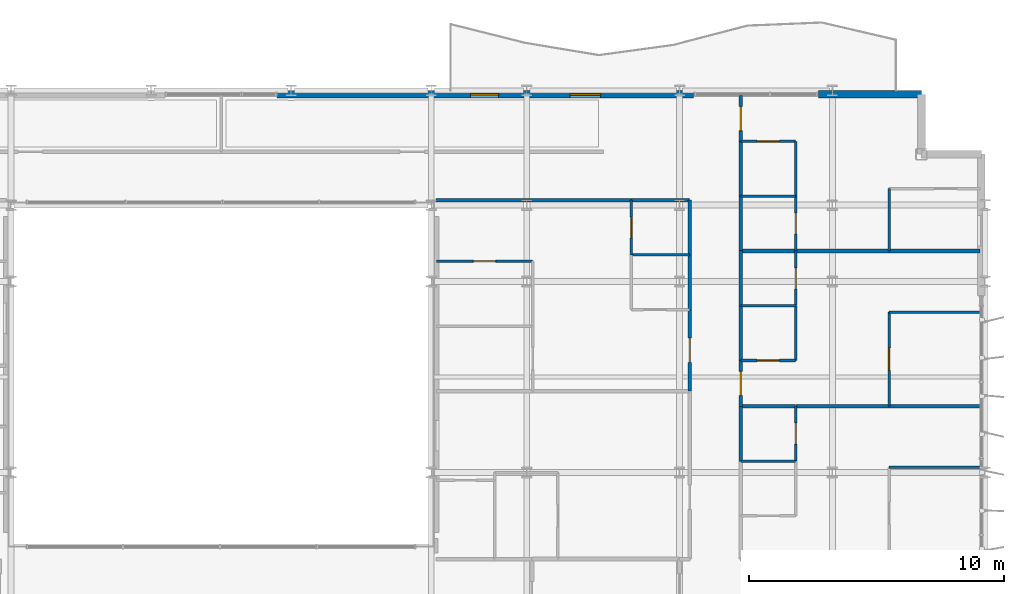
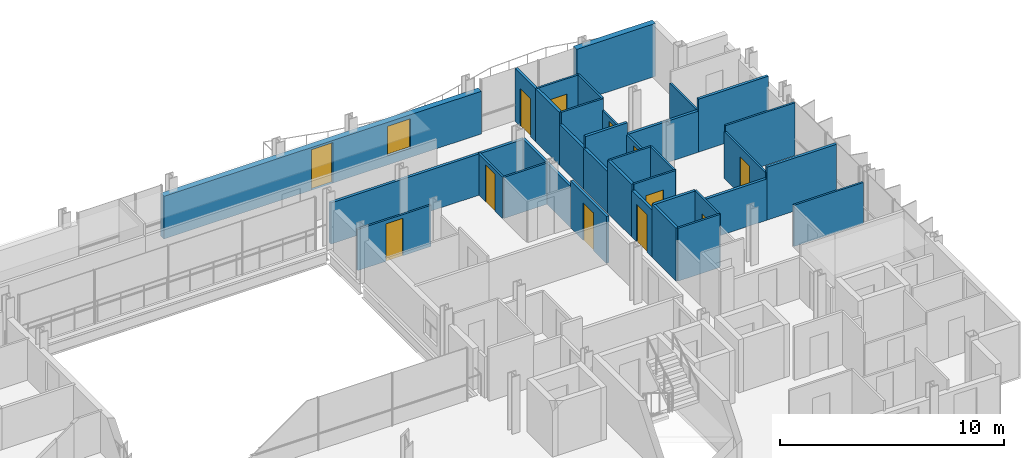
# One storey, part 32 of 39: 37 walls, 12 doors, 1 window, 13 openings.
"""IFC4 building model written with IfcOpenShell, lengths in metres."""

from ifc_helpers import new_model, si_unit, direction, frame, frame_2d, origin, place, context, subcontext, project, spatial, rectangle, extrude, material, layer, layer_set, type_object, element, fill, save


model = new_model("IFC4")

# Units and contexts
model_context = context("Model", 3, precision=1e-05, world=origin(), true_north=direction((0.0, 1.0)))
body_context = subcontext(model_context, "Body", "Model", "MODEL_VIEW")
ifc_project = project(units=[si_unit("LENGTHUNIT", "METRE"), si_unit("AREAUNIT", "SQUARE_METRE"), si_unit("VOLUMEUNIT", "CUBIC_METRE"), si_unit("PLANEANGLEUNIT", "RADIAN"), si_unit("MASSUNIT", "GRAM", prefix="KILO")], contexts=[model_context])

# Site, building, storey
site_placement = place(None, origin())
site = spatial("IfcSite", under=ifc_project, at=site_placement, CompositionType="ELEMENT")
building_placement = place(site_placement, origin())
building = spatial("IfcBuilding", under=site, at=building_placement, Name="Brevholm Reach", CompositionType="ELEMENT")
storey_placement = place(building_placement, frame((0.0, 0.0, 103.5)))
storey = spatial("IfcBuildingStorey", under=building, at=storey_placement, Name="L30", CompositionType="ELEMENT", Elevation=103.5)

# Wall
ifc_material_1 = material(Name="Concrete C40/50", Category="concrete")
ifc_layer_1 = layer(ifc_material_1, 0.300048828125)
ifc_layer_set_1 = layer_set([ifc_layer_1], Name="Concrete C40/50")
wall_type_1 = type_object("IfcWallType", Name="WAL-EXT-300", PredefinedType="STANDARD", material=ifc_layer_set_1)
wall_1_placement = place(storey_placement, frame((53.449951171875, 30.85009765625, 0.0), z_axis=(0.0, 0.0, 1.0), x_axis=(1.0, 0.0, 0.0)))
element("IfcWall", 1, at=wall_1_placement, inside=storey, type_object=wall_type_1, Name="L30 Facade Wall WAL-L30-NP-E0", PredefinedType="STANDARD", context=body_context, shape_type="SweptSolid", body=[
    extrude(rectangle(XDim=4.050048828125, YDim=0.300048828125, at=frame_2d((2.02490234375, 0.0))), origin(), (0.0, 0.0, 1.0), 2.8798828125),
])

# Wall, openings, door, window
wall_2_placement = place(storey_placement, frame((32.199951171875, 30.85009765625, 0.0), z_axis=(0.0, 0.0, 1.0), x_axis=(1.0, 0.0, 0.0)))
wall_2 = element("IfcWall", 2, at=wall_2_placement, inside=storey, type_object=wall_type_1, Name="L30 Facade Wall WAL-L30-NP-ER", PredefinedType="STANDARD", context=body_context, shape_type="SweptSolid", body=[
    extrude(rectangle(XDim=16.35009765625, YDim=0.300048828125, at=frame_2d((8.175048828125, 0.0))), origin(), (0.0, 0.0, 1.0), 2.322021484375),
])
opening_1_placement = place(wall_2_placement, frame((7.60009765625, 0.0, 0.0)))
opening_1 = element("IfcOpeningElement", 3, at=opening_1_placement, cuts=wall_2, Name="Opening BD-01", PredefinedType="OPENING", context=body_context, shape_type="SweptSolid", body=[
    extrude(rectangle(XDim=1.10009765625, YDim=2.199951171875, at=frame_2d((0.550048828125, 1.10009765625))), frame((0.0, 0.159912109375, 0.0), z_axis=(0.0, -1.0, 0.0), x_axis=(1.0, 0.0, 0.0)), (0.0, 0.0, 1.0), 0.320068359375),
])
opening_2_placement = place(wall_2_placement, frame((11.5, 0.0, 0.501953125)))
opening_2 = element("IfcOpeningElement", 4, at=opening_2_placement, cuts=wall_2, Name="Opening WN-08", PredefinedType="OPENING", context=body_context, shape_type="SweptSolid", body=[
    extrude(rectangle(XDim=1.199951171875, YDim=1.60009765625, at=frame_2d((0.60009765625, 0.800048828125))), frame((0.0, 0.159912109375, 0.0), z_axis=(0.0, -1.0, 0.0), x_axis=(1.0, 0.0, 0.0)), (0.0, 0.0, 1.0), 0.320068359375),
])
ifc_material_2 = material(Name="Dark Anodised Aluminium and Triple-Glazed Glass", Category="aluminium")
door_type_1 = type_object("IfcDoorType", Name="DOR-BALC-1100", OperationType="NOTDEFINED", PredefinedType="DOOR", material=ifc_material_2)
door_1_placement = place(opening_1_placement, origin())
door_1 = element("IfcDoor", 5, at=door_1_placement, inside=storey, type_object=door_type_1, Name="L30 Exterior Door DOR-L30-BL-NE", OperationType="SINGLE_SWING_LEFT", OverallHeight=2.199951171875, OverallWidth=1.10009765625, PredefinedType="DOOR", context=body_context, shape_type="SweptSolid", body=[
    extrude(rectangle(XDim=1.10009765625, YDim=2.199951171875, at=frame_2d((0.550048828125, 1.10009765625))), frame((0.0, 0.02490234375, 0.0), z_axis=(0.0, -1.0, 0.0), x_axis=(1.0, 0.0, 0.0)), (0.0, 0.0, 1.0), 0.050048828125),
])
fill(opening_1, door_1)
ifc_material_3 = material(Name="Dark Anodised Aluminium and Solar-Control IGU Glass", Category="aluminium")
window_type = type_object("IfcWindowType", Name="WIN-RES-1200", PartitioningType="SINGLE_PANEL", PredefinedType="WINDOW", material=ifc_material_3)
window_placement = place(opening_2_placement, origin())
window = element("IfcWindow", 6, at=window_placement, inside=storey, type_object=window_type, Name="L30 Window WIN-L30-NP-ER1", OverallHeight=1.60009765625, OverallWidth=1.199951171875, PartitioningType="SINGLE_PANEL", PredefinedType="WINDOW", context=body_context, shape_type="SweptSolid", body=[
    extrude(rectangle(XDim=1.199951171875, YDim=1.60009765625, at=frame_2d((0.60009765625, 0.800048828125))), frame((0.0, 0.030029296875, 0.0), z_axis=(0.0, -1.0, 0.0), x_axis=(1.0, 0.0, 0.0)), (0.0, 0.0, 1.0), 0.06005859375),
])
fill(opening_2, window)

# Wall
ifc_material_4 = material(Name="Moisture-Resistant Acoustic Gypsum Stud Partition 100 mm", Category="gypsum")
ifc_layer_2 = layer(ifc_material_4, 0.10009765625)
ifc_layer_set_2 = layer_set([ifc_layer_2], Name="Moisture-Resistant Acoustic Gypsum Stud Partition 100 mm")
wall_type_2 = type_object("IfcWallType", Name="WAL-PRT-100", PredefinedType="PARTITIONING", material=ifc_layer_set_2)
wall_3_placement = place(storey_placement, frame((46.112060546875, 24.550048828125, 0.0), z_axis=(0.0, 0.0, 1.0), x_axis=(1.0, 0.0, 0.0)))
element("IfcWall", 7, at=wall_3_placement, inside=storey, type_object=wall_type_2, Name="L30 Internal Partition 132", PredefinedType="PARTITIONING", context=body_context, shape_type="SweptSolid", body=[
    extrude(rectangle(XDim=2.283935546875, YDim=0.10009765625, at=frame_2d((1.14208984375, 0.0))), origin(), (0.0, 0.0, 1.0), 2.242919921875),
])

# Wall, opening, door
wall_4_placement = place(storey_placement, frame((46.112060546875, 24.550048828125, 0.0), z_axis=(0.0, 0.0, 1.0), x_axis=(0.0, 1.0, 0.0)))
wall_4 = element("IfcWall", 8, at=wall_4_placement, inside=storey, type_object=wall_type_2, Name="L30 Internal Partition 133", PredefinedType="PARTITIONING", context=body_context, shape_type="SweptSolid", body=[
    extrude(rectangle(XDim=2.14599609375, YDim=0.10009765625, at=frame_2d((1.072998046875, 0.0))), origin(), (0.0, 0.0, 1.0), 2.242919921875),
])
opening_3_placement = place(wall_4_placement, frame((0.6630859375, 0.0, 0.0)))
opening_3 = element("IfcOpeningElement", 9, at=opening_3_placement, cuts=wall_4, Name="Opening ID-03", PredefinedType="OPENING", context=body_context, shape_type="SweptSolid", body=[
    extrude(rectangle(XDim=0.820068359375, YDim=2.02001953125, at=frame_2d((0.41015625, 1.010009765625))), frame((0.0, 0.06005859375, 0.0), z_axis=(0.0, -1.0, 0.0), x_axis=(1.0, 0.0, 0.0)), (0.0, 0.0, 1.0), 0.1201171875),
])
ifc_material_5 = material(Name="Moisture-Resistant Painted Timber Internal Bathroom Door", Category="wood")
door_type_2 = type_object("IfcDoorType", Name="DOR-BATH-820", OperationType="NOTDEFINED", PredefinedType="DOOR", material=ifc_material_5)
door_2_placement = place(opening_3_placement, origin())
door_2 = element("IfcDoor", 10, at=door_2_placement, inside=storey, type_object=door_type_2, Name="L30 Internal Door 049", OperationType="SINGLE_SWING_LEFT", OverallHeight=2.02001953125, OverallWidth=0.820068359375, PredefinedType="DOOR", context=body_context, shape_type="SweptSolid", body=[
    extrude(rectangle(XDim=0.820068359375, YDim=2.02001953125, at=frame_2d((0.41015625, 1.010009765625))), frame((0.0, 0.02490234375, 0.0), z_axis=(0.0, -1.0, 0.0), x_axis=(1.0, 0.0, 0.0)), (0.0, 0.0, 1.0), 0.050048828125),
])
fill(opening_3, door_2)

wall_5_placement = place(storey_placement, frame((38.449951171875, 24.300048828125, 0.0), z_axis=(0.0, 0.0, 1.0), x_axis=(1.0, 0.0, 0.0)))
wall_5 = element("IfcWall", 11, at=wall_5_placement, inside=storey, type_object=wall_type_2, Name="L30 Internal Partition 139", PredefinedType="PARTITIONING", context=body_context, shape_type="SweptSolid", body=[
    extrude(rectangle(XDim=3.781005859375, YDim=0.10009765625, at=frame_2d((1.890625, 0.0))), origin(), (0.0, 0.0, 1.0), 2.242919921875),
])
opening_4_placement = place(wall_5_placement, frame((1.450439453125, 0.0, 0.0)))
opening_4 = element("IfcOpeningElement", 12, at=opening_4_placement, cuts=wall_5, Name="Opening ID-01", PredefinedType="OPENING", context=body_context, shape_type="SweptSolid", body=[
    extrude(rectangle(XDim=0.8798828125, YDim=2.0400390625, at=frame_2d((0.43994140625, 1.02001953125))), frame((0.0, 0.06005859375, 0.0), z_axis=(0.0, -1.0, 0.0), x_axis=(1.0, 0.0, 0.0)), (0.0, 0.0, 1.0), 0.1201171875),
])
ifc_material_6 = material(Name="Lacquered Ash Solid-Core Acoustic Internal Door", Category="timber")
door_type_3 = type_object("IfcDoorType", Name="DOR-INT-880", OperationType="NOTDEFINED", PredefinedType="DOOR", material=ifc_material_6)
door_3_placement = place(opening_4_placement, origin())
door_3 = element("IfcDoor", 13, at=door_3_placement, inside=storey, type_object=door_type_3, Name="L30 Internal Door 052", OperationType="SINGLE_SWING_RIGHT", OverallHeight=2.0400390625, OverallWidth=0.8798828125, PredefinedType="DOOR", context=body_context, shape_type="SweptSolid", body=[
    extrude(rectangle(XDim=0.8798828125, YDim=2.0400390625, at=frame_2d((0.43994140625, 1.02001953125))), frame((0.0, 0.02490234375, 0.0), z_axis=(0.0, -1.0, 0.0), x_axis=(1.0, 0.0, 0.0)), (0.0, 0.0, 1.0), 0.050048828125),
])
fill(opening_4, door_3)

# Wall
wall_6_placement = place(storey_placement, frame((50.404052734375, 16.449951171875, 0.0), z_axis=(0.0, 0.0, 1.0), x_axis=(1.0, 0.0, 0.0)))
element("IfcWall", 14, at=wall_6_placement, inside=storey, type_object=wall_type_2, Name="L30 Internal Partition 140", PredefinedType="PARTITIONING", context=body_context, shape_type="SweptSolid", body=[
    extrude(rectangle(XDim=2.157958984375, YDim=0.10009765625, at=frame_2d((1.0791015625, 0.0))), origin(), (0.0, 0.0, 1.0), 2.8798828125),
])

# Wall, opening, door
wall_7_placement = place(storey_placement, frame((52.56201171875, 16.449951171875, 0.0), z_axis=(0.0, 0.0, 1.0), x_axis=(0.0, 1.0, 0.0)))
wall_7 = element("IfcWall", 15, at=wall_7_placement, inside=storey, type_object=wall_type_2, Name="L30 Internal Partition 141", PredefinedType="PARTITIONING", context=body_context, shape_type="SweptSolid", body=[
    extrude(rectangle(XDim=2.150146484375, YDim=0.10009765625, at=frame_2d((1.0751953125, 0.0))), origin(), (0.0, 0.0, 1.0), 2.8798828125),
])
opening_5_placement = place(wall_7_placement, frame((0.6650390625, 0.0, 0.0)))
opening_5 = element("IfcOpeningElement", 16, at=opening_5_placement, cuts=wall_7, Name="Opening ID-03", PredefinedType="OPENING", context=body_context, shape_type="SweptSolid", body=[
    extrude(rectangle(XDim=0.820068359375, YDim=2.02001953125, at=frame_2d((0.41015625, 1.010009765625))), frame((0.0, 0.06005859375, 0.0), z_axis=(0.0, -1.0, 0.0), x_axis=(1.0, 0.0, 0.0)), (0.0, 0.0, 1.0), 0.1201171875),
])
door_4_placement = place(opening_5_placement, origin())
door_4 = element("IfcDoor", 17, at=door_4_placement, inside=storey, type_object=door_type_2, Name="L30 Internal Door 053", OperationType="SINGLE_SWING_LEFT", OverallHeight=2.02001953125, OverallWidth=0.820068359375, PredefinedType="DOOR", context=body_context, shape_type="SweptSolid", body=[
    extrude(rectangle(XDim=0.820068359375, YDim=2.02001953125, at=frame_2d((0.41015625, 1.010009765625))), frame((0.0, 0.02490234375, 0.0), z_axis=(0.0, -1.0, 0.0), x_axis=(1.0, 0.0, 0.0)), (0.0, 0.0, 1.0), 0.050048828125),
])
fill(opening_5, door_4)

# Walls
wall_8_placement = place(storey_placement, frame((56.22802734375, 16.199951171875, 0.0), z_axis=(0.0, 0.0, 1.0), x_axis=(1.0, 0.0, 0.0)))
element("IfcWall", 18, at=wall_8_placement, inside=storey, type_object=wall_type_2, Name="L30 Internal Partition 145", PredefinedType="PARTITIONING", context=body_context, shape_type="SweptSolid", body=[
    extrude(rectangle(XDim=3.572021484375, YDim=0.10009765625, at=frame_2d((1.7861328125, 0.0))), origin(), (0.0, 0.0, 1.0), 2.242919921875),
])
wall_9_placement = place(storey_placement, frame((50.404052734375, 22.550048828125, 0.0), z_axis=(0.0, 0.0, 1.0), x_axis=(1.0, 0.0, 0.0)))
element("IfcWall", 19, at=wall_9_placement, inside=storey, type_object=wall_type_2, Name="L30 Internal Partition 149", PredefinedType="PARTITIONING", context=body_context, shape_type="SweptSolid", body=[
    extrude(rectangle(XDim=2.157958984375, YDim=0.10009765625, at=frame_2d((1.0791015625, 0.0))), origin(), (0.0, 0.0, 1.0), 2.8798828125),
])

# Wall, opening, door
wall_10_placement = place(storey_placement, frame((52.56201171875, 22.550048828125, 0.0), z_axis=(0.0, 0.0, 1.0), x_axis=(0.0, 1.0, 0.0)))
wall_10 = element("IfcWall", 20, at=wall_10_placement, inside=storey, type_object=wall_type_2, Name="L30 Internal Partition 150", PredefinedType="PARTITIONING", context=body_context, shape_type="SweptSolid", body=[
    extrude(rectangle(XDim=2.14990234375, YDim=0.10009765625, at=frame_2d((1.074951171875, 0.0))), origin(), (0.0, 0.0, 1.0), 2.242919921875),
])
opening_6_placement = place(wall_10_placement, frame((0.6650390625, 0.0, 0.0)))
opening_6 = element("IfcOpeningElement", 21, at=opening_6_placement, cuts=wall_10, Name="Opening ID-03", PredefinedType="OPENING", context=body_context, shape_type="SweptSolid", body=[
    extrude(rectangle(XDim=0.820068359375, YDim=2.02001953125, at=frame_2d((0.41015625, 1.010009765625))), frame((0.0, 0.06005859375, 0.0), z_axis=(0.0, -1.0, 0.0), x_axis=(1.0, 0.0, 0.0)), (0.0, 0.0, 1.0), 0.1201171875),
])
door_5_placement = place(opening_6_placement, origin())
door_5 = element("IfcDoor", 22, at=door_5_placement, inside=storey, type_object=door_type_2, Name="L30 Internal Door 056", OperationType="SINGLE_SWING_RIGHT", OverallHeight=2.02001953125, OverallWidth=0.820068359375, PredefinedType="DOOR", context=body_context, shape_type="SweptSolid", body=[
    extrude(rectangle(XDim=0.820068359375, YDim=2.02001953125, at=frame_2d((0.41015625, 1.010009765625))), frame((0.0, 0.02490234375, 0.0), z_axis=(0.0, -1.0, 0.0), x_axis=(1.0, 0.0, 0.0)), (0.0, 0.0, 1.0), 0.050048828125),
])
fill(opening_6, door_5)

wall_11_placement = place(storey_placement, frame((50.404052734375, 20.39990234375, 0.0), z_axis=(0.0, 0.0, 1.0), x_axis=(1.0, 0.0, 0.0)))
wall_11 = element("IfcWall", 23, at=wall_11_placement, inside=storey, type_object=wall_type_2, Name="L30 Internal Partition 152", PredefinedType="PARTITIONING", context=body_context, shape_type="SweptSolid", body=[
    extrude(rectangle(XDim=2.157958984375, YDim=0.10009765625, at=frame_2d((1.0791015625, 0.0))), origin(), (0.0, 0.0, 1.0), 2.8798828125),
])
opening_7_placement = place(wall_11_placement, frame((0.638916015625, 0.0, 0.0)))
opening_7 = element("IfcOpeningElement", 24, at=opening_7_placement, cuts=wall_11, Name="Opening ID-01", PredefinedType="OPENING", context=body_context, shape_type="SweptSolid", body=[
    extrude(rectangle(XDim=0.8798828125, YDim=2.0400390625, at=frame_2d((0.43994140625, 1.02001953125))), frame((0.0, 0.06005859375, 0.0), z_axis=(0.0, -1.0, 0.0), x_axis=(1.0, 0.0, 0.0)), (0.0, 0.0, 1.0), 0.1201171875),
])
door_6_placement = place(opening_7_placement, origin())
door_6 = element("IfcDoor", 25, at=door_6_placement, inside=storey, type_object=door_type_3, Name="L30 Internal Door 057", OperationType="SINGLE_SWING_LEFT", OverallHeight=2.0400390625, OverallWidth=0.8798828125, PredefinedType="DOOR", context=body_context, shape_type="SweptSolid", body=[
    extrude(rectangle(XDim=0.8798828125, YDim=2.0400390625, at=frame_2d((0.43994140625, 1.02001953125))), frame((0.0, 0.02490234375, 0.0), z_axis=(0.0, -1.0, 0.0), x_axis=(1.0, 0.0, 0.0)), (0.0, 0.0, 1.0), 0.050048828125),
])
fill(opening_7, door_6)

# Walls
wall_12_placement = place(storey_placement, frame((52.56201171875, 20.39990234375, 0.0), z_axis=(0.0, 0.0, 1.0), x_axis=(0.0, 1.0, 0.0)))
element("IfcWall", 26, at=wall_12_placement, inside=storey, type_object=wall_type_2, Name="L30 Internal Partition 153", PredefinedType="PARTITIONING", context=body_context, shape_type="SweptSolid", body=[
    extrude(rectangle(XDim=2.14599609375, YDim=0.10009765625, at=frame_2d((1.072998046875, 0.0))), origin(), (0.0, 0.0, 1.0), 2.8798828125),
])
wall_13_placement = place(storey_placement, frame((56.22802734375, 22.300048828125, 0.0), z_axis=(0.0, 0.0, 1.0), x_axis=(1.0, 0.0, 0.0)))
element("IfcWall", 27, at=wall_13_placement, inside=storey, type_object=wall_type_2, Name="L30 Internal Partition 154", PredefinedType="PARTITIONING", context=body_context, shape_type="SweptSolid", body=[
    extrude(rectangle(XDim=3.572021484375, YDim=0.10009765625, at=frame_2d((1.7861328125, 0.0))), origin(), (0.0, 0.0, 1.0), 2.8798828125),
])

# Wall, opening, door
wall_14_placement = place(storey_placement, frame((56.22802734375, 18.60400390625, 0.0), z_axis=(0.0, 0.0, 1.0), x_axis=(0.0, 1.0, 0.0)))
wall_14 = element("IfcWall", 28, at=wall_14_placement, inside=storey, type_object=wall_type_2, Name="L30 Internal Partition 155", PredefinedType="PARTITIONING", context=body_context, shape_type="SweptSolid", body=[
    extrude(rectangle(XDim=3.696044921875, YDim=0.10009765625, at=frame_2d((1.84814453125, 0.0))), origin(), (0.0, 0.0, 1.0), 2.551513671875),
])
opening_8_placement = place(wall_14_placement, frame((1.407958984375, 0.0, 0.0)))
opening_8 = element("IfcOpeningElement", 29, at=opening_8_placement, cuts=wall_14, Name="Opening ID-01", PredefinedType="OPENING", context=body_context, shape_type="SweptSolid", body=[
    extrude(rectangle(XDim=0.8798828125, YDim=2.0400390625, at=frame_2d((0.43994140625, 1.02001953125))), frame((0.0, 0.06005859375, 0.0), z_axis=(0.0, -1.0, 0.0), x_axis=(1.0, 0.0, 0.0)), (0.0, 0.0, 1.0), 0.1201171875),
])
door_7_placement = place(opening_8_placement, origin())
door_7 = element("IfcDoor", 30, at=door_7_placement, inside=storey, type_object=door_type_3, Name="L30 Internal Door 058", OperationType="SINGLE_SWING_RIGHT", OverallHeight=2.0400390625, OverallWidth=0.8798828125, PredefinedType="DOOR", context=body_context, shape_type="SweptSolid", body=[
    extrude(rectangle(XDim=0.8798828125, YDim=2.0400390625, at=frame_2d((0.43994140625, 1.02001953125))), frame((0.0, 0.02490234375, 0.0), z_axis=(0.0, -1.0, 0.0), x_axis=(1.0, 0.0, 0.0)), (0.0, 0.0, 1.0), 0.050048828125),
])
fill(opening_8, door_7)

# Wall
wall_15_placement = place(storey_placement, frame((50.404052734375, 26.85009765625, 0.0), z_axis=(0.0, 0.0, 1.0), x_axis=(1.0, 0.0, 0.0)))
element("IfcWall", 31, at=wall_15_placement, inside=storey, type_object=wall_type_2, Name="L30 Internal Partition 158", PredefinedType="PARTITIONING", context=body_context, shape_type="SweptSolid", body=[
    extrude(rectangle(XDim=2.157958984375, YDim=0.10009765625, at=frame_2d((1.0791015625, 0.0))), origin(), (0.0, 0.0, 1.0), 2.8798828125),
])

# Wall, opening, door
wall_16_placement = place(storey_placement, frame((52.56201171875, 24.7041015625, 0.0), z_axis=(0.0, 0.0, 1.0), x_axis=(0.0, 1.0, 0.0)))
wall_16 = element("IfcWall", 32, at=wall_16_placement, inside=storey, type_object=wall_type_2, Name="L30 Internal Partition 159", PredefinedType="PARTITIONING", context=body_context, shape_type="SweptSolid", body=[
    extrude(rectangle(XDim=2.14599609375, YDim=0.10009765625, at=frame_2d((1.072998046875, 0.0))), origin(), (0.0, 0.0, 1.0), 2.242919921875),
])
opening_9_placement = place(wall_16_placement, frame((0.6630859375, 0.0, 0.0)))
opening_9 = element("IfcOpeningElement", 33, at=opening_9_placement, cuts=wall_16, Name="Opening ID-03", PredefinedType="OPENING", context=body_context, shape_type="SweptSolid", body=[
    extrude(rectangle(XDim=0.820068359375, YDim=2.02001953125, at=frame_2d((0.41015625, 1.010009765625))), frame((0.0, 0.06005859375, 0.0), z_axis=(0.0, -1.0, 0.0), x_axis=(1.0, 0.0, 0.0)), (0.0, 0.0, 1.0), 0.1201171875),
])
door_8_placement = place(opening_9_placement, origin())
door_8 = element("IfcDoor", 34, at=door_8_placement, inside=storey, type_object=door_type_2, Name="L30 Internal Door 059", OperationType="SINGLE_SWING_LEFT", OverallHeight=2.02001953125, OverallWidth=0.820068359375, PredefinedType="DOOR", context=body_context, shape_type="SweptSolid", body=[
    extrude(rectangle(XDim=0.820068359375, YDim=2.02001953125, at=frame_2d((0.41015625, 1.010009765625))), frame((0.0, 0.02490234375, 0.0), z_axis=(0.0, -1.0, 0.0), x_axis=(1.0, 0.0, 0.0)), (0.0, 0.0, 1.0), 0.050048828125),
])
fill(opening_9, door_8)

# Wall
wall_17_placement = place(storey_placement, frame((52.56201171875, 26.85400390625, 0.0), z_axis=(0.0, 0.0, 1.0), x_axis=(0.0, 1.0, 0.0)))
element("IfcWall", 35, at=wall_17_placement, inside=storey, type_object=wall_type_2, Name="L30 Internal Partition 160", PredefinedType="PARTITIONING", context=body_context, shape_type="SweptSolid", body=[
    extrude(rectangle(XDim=2.14599609375, YDim=0.10009765625, at=frame_2d((1.072998046875, 0.0))), origin(), (0.0, 0.0, 1.0), 2.8798828125),
])

# Wall, opening, door
wall_18_placement = place(storey_placement, frame((50.404052734375, 29.0, 0.0), z_axis=(0.0, 0.0, 1.0), x_axis=(1.0, 0.0, 0.0)))
wall_18 = element("IfcWall", 36, at=wall_18_placement, inside=storey, type_object=wall_type_2, Name="L30 Internal Partition 161", PredefinedType="PARTITIONING", context=body_context, shape_type="SweptSolid", body=[
    extrude(rectangle(XDim=2.157958984375, YDim=0.10009765625, at=frame_2d((1.0791015625, 0.0))), origin(), (0.0, 0.0, 1.0), 2.8798828125),
])
opening_10_placement = place(wall_18_placement, frame((0.638916015625, 0.0, 0.0)))
opening_10 = element("IfcOpeningElement", 37, at=opening_10_placement, cuts=wall_18, Name="Opening ID-01", PredefinedType="OPENING", context=body_context, shape_type="SweptSolid", body=[
    extrude(rectangle(XDim=0.8798828125, YDim=2.0400390625, at=frame_2d((0.43994140625, 1.02001953125))), frame((0.0, 0.06005859375, 0.0), z_axis=(0.0, -1.0, 0.0), x_axis=(1.0, 0.0, 0.0)), (0.0, 0.0, 1.0), 0.1201171875),
])
door_9_placement = place(opening_10_placement, origin())
door_9 = element("IfcDoor", 38, at=door_9_placement, inside=storey, type_object=door_type_3, Name="L30 Internal Door 060", OperationType="SINGLE_SWING_RIGHT", OverallHeight=2.0400390625, OverallWidth=0.8798828125, PredefinedType="DOOR", context=body_context, shape_type="SweptSolid", body=[
    extrude(rectangle(XDim=0.8798828125, YDim=2.0400390625, at=frame_2d((0.43994140625, 1.02001953125))), frame((0.0, 0.02490234375, 0.0), z_axis=(0.0, -1.0, 0.0), x_axis=(1.0, 0.0, 0.0)), (0.0, 0.0, 1.0), 0.050048828125),
])
fill(opening_10, door_9)

# Walls
wall_19_placement = place(storey_placement, frame((56.22802734375, 24.7041015625, 0.0), z_axis=(0.0, 0.0, 1.0), x_axis=(0.0, 1.0, 0.0)))
element("IfcWall", 39, at=wall_19_placement, inside=storey, type_object=wall_type_2, Name="L30 Internal Partition 163", PredefinedType="PARTITIONING", context=body_context, shape_type="SweptSolid", body=[
    extrude(rectangle(XDim=2.44580078125, YDim=0.10009765625, at=frame_2d((1.222900390625, 0.0))), origin(), (0.0, 0.0, 1.0), 2.242919921875),
])
ifc_material_7 = material(Name="Twin-Stud Acoustic Fire-Rated Gypsum Partition 140 mm", Category="gypsum")
ifc_layer_3 = layer(ifc_material_7, 0.139892578125)
ifc_layer_set_3 = layer_set([ifc_layer_3], Name="Twin-Stud Acoustic Fire-Rated Gypsum Partition 140 mm")
wall_type_3 = type_object("IfcWallType", Name="WAL-PRT-140", PredefinedType="PARTITIONING", material=ifc_layer_set_3)
wall_20_placement = place(storey_placement, frame((48.39990234375, 24.538818359375, 0.0), z_axis=(0.0, 0.0, 1.0), x_axis=(0.0, 1.0, 0.0)))
element("IfcWall", 40, at=wall_20_placement, inside=storey, type_object=wall_type_3, Name="L30 Internal Partition 045", PredefinedType="PARTITIONING", context=body_context, shape_type="SweptSolid", body=[
    extrude(rectangle(XDim=2.16845703125, YDim=0.139892578125, at=frame_2d((1.084228515625, 0.0))), origin(), (0.0, 0.0, 1.0), 2.242919921875),
])
wall_21_placement = place(storey_placement, frame((48.39990234375, 22.388671875, 0.0), z_axis=(0.0, 0.0, 1.0), x_axis=(0.0, 1.0, 0.0)))
element("IfcWall", 41, at=wall_21_placement, inside=storey, type_object=wall_type_3, Name="L30 Internal Partition 046", PredefinedType="PARTITIONING", context=body_context, shape_type="SweptSolid", body=[
    extrude(rectangle(XDim=2.168701171875, YDim=0.139892578125, at=frame_2d((1.08447265625, 0.0))), origin(), (0.0, 0.0, 1.0), 2.242919921875),
])

# Wall, opening, door
wall_22_placement = place(storey_placement, frame((48.39990234375, 19.192626953125, 0.0), z_axis=(0.0, 0.0, 1.0), x_axis=(0.0, 1.0, 0.0)))
wall_22 = element("IfcWall", 42, at=wall_22_placement, inside=storey, type_object=wall_type_3, Name="L30 Internal Partition 047", PredefinedType="PARTITIONING", context=body_context, shape_type="SweptSolid", body=[
    extrude(rectangle(XDim=3.214599609375, YDim=0.139892578125, at=frame_2d((1.607421875, 0.0))), origin(), (0.0, 0.0, 1.0), 2.551513671875),
])
opening_11_placement = place(wall_22_placement, frame((1.13232421875, 0.0, 0.0)))
opening_11 = element("IfcOpeningElement", 43, at=opening_11_placement, cuts=wall_22, Name="Opening ID-30", PredefinedType="OPENING", context=body_context, shape_type="SweptSolid", body=[
    extrude(rectangle(XDim=0.949951171875, YDim=2.050048828125, at=frame_2d((0.47509765625, 1.02490234375))), frame((0.0, 0.079833984375, 0.0), z_axis=(0.0, -1.0, 0.0), x_axis=(1.0, 0.0, 0.0)), (0.0, 0.0, 1.0), 0.159912109375),
])
ifc_material_8 = material(Name="European Oak Veneered Solid-Core Fire Entrance Door", Category="timber")
door_type_4 = type_object("IfcDoorType", Name="DOR-FLT-FD30S", OperationType="NOTDEFINED", PredefinedType="DOOR", material=ifc_material_8)
door_10_placement = place(opening_11_placement, origin())
door_10 = element("IfcDoor", 44, at=door_10_placement, inside=storey, type_object=door_type_4, Name="L30 Internal Door 020", OperationType="SINGLE_SWING_RIGHT", OverallHeight=2.050048828125, OverallWidth=0.949951171875, PredefinedType="DOOR", context=body_context, shape_type="SweptSolid", body=[
    extrude(rectangle(XDim=0.949951171875, YDim=2.050048828125, at=frame_2d((0.47509765625, 1.02490234375))), frame((0.0, 0.02490234375, 0.0), z_axis=(0.0, -1.0, 0.0), x_axis=(1.0, 0.0, 0.0)), (0.0, 0.0, 1.0), 0.050048828125),
])
fill(opening_11, door_10)

# Walls
wall_23_placement = place(storey_placement, frame((50.39990234375, 16.438720703125, 0.0), z_axis=(0.0, 0.0, 1.0), x_axis=(0.0, 1.0, 0.0)))
element("IfcWall", 45, at=wall_23_placement, inside=storey, type_object=wall_type_3, Name="L30 Internal Partition 048", PredefinedType="PARTITIONING", context=body_context, shape_type="SweptSolid", body=[
    extrude(rectangle(XDim=2.172607421875, YDim=0.139892578125, at=frame_2d((1.08642578125, 0.0))), origin(), (0.0, 0.0, 1.0), 2.8798828125),
])
wall_24_placement = place(storey_placement, frame((50.39990234375, 22.538818359375, 0.0), z_axis=(0.0, 0.0, 1.0), x_axis=(0.0, 1.0, 0.0)))
element("IfcWall", 46, at=wall_24_placement, inside=storey, type_object=wall_type_3, Name="L30 Internal Partition 051", PredefinedType="PARTITIONING", context=body_context, shape_type="SweptSolid", body=[
    extrude(rectangle(XDim=2.17236328125, YDim=0.139892578125, at=frame_2d((1.086181640625, 0.0))), origin(), (0.0, 0.0, 1.0), 2.242919921875),
])
wall_25_placement = place(storey_placement, frame((50.39990234375, 20.388671875, 0.0), z_axis=(0.0, 0.0, 1.0), x_axis=(0.0, 1.0, 0.0)))
element("IfcWall", 47, at=wall_25_placement, inside=storey, type_object=wall_type_3, Name="L30 Internal Partition 052", PredefinedType="PARTITIONING", context=body_context, shape_type="SweptSolid", body=[
    extrude(rectangle(XDim=2.168701171875, YDim=0.139892578125, at=frame_2d((1.08447265625, 0.0))), origin(), (0.0, 0.0, 1.0), 2.8798828125),
])

# Wall, opening, door
wall_26_placement = place(storey_placement, frame((50.39990234375, 18.5927734375, 0.0), z_axis=(0.0, 0.0, 1.0), x_axis=(0.0, 1.0, 0.0)))
wall_26 = element("IfcWall", 48, at=wall_26_placement, inside=storey, type_object=wall_type_3, Name="L30 Internal Partition 053", PredefinedType="PARTITIONING", context=body_context, shape_type="SweptSolid", body=[
    extrude(rectangle(XDim=1.814453125, YDim=0.139892578125, at=frame_2d((0.9072265625, 0.0))), origin(), (0.0, 0.0, 1.0), 2.551513671875),
])
opening_12_placement = place(wall_26_placement, frame((0.432373046875, 0.0, 0.0)))
opening_12 = element("IfcOpeningElement", 49, at=opening_12_placement, cuts=wall_26, Name="Opening ID-30", PredefinedType="OPENING", context=body_context, shape_type="SweptSolid", body=[
    extrude(rectangle(XDim=0.949951171875, YDim=2.050048828125, at=frame_2d((0.47509765625, 1.02490234375))), frame((0.0, 0.079833984375, 0.0), z_axis=(0.0, -1.0, 0.0), x_axis=(1.0, 0.0, 0.0)), (0.0, 0.0, 1.0), 0.159912109375),
])
door_11_placement = place(opening_12_placement, origin())
door_11 = element("IfcDoor", 50, at=door_11_placement, inside=storey, type_object=door_type_4, Name="L30 Internal Door 021", OperationType="SINGLE_SWING_LEFT", OverallHeight=2.050048828125, OverallWidth=0.949951171875, PredefinedType="DOOR", context=body_context, shape_type="SweptSolid", body=[
    extrude(rectangle(XDim=0.949951171875, YDim=2.050048828125, at=frame_2d((0.47509765625, 1.02490234375))), frame((0.0, 0.02490234375, 0.0), z_axis=(0.0, -1.0, 0.0), x_axis=(1.0, 0.0, 0.0)), (0.0, 0.0, 1.0), 0.050048828125),
])
fill(opening_12, door_11)

# Walls
wall_27_placement = place(storey_placement, frame((50.39990234375, 24.692626953125, 0.0), z_axis=(0.0, 0.0, 1.0), x_axis=(0.0, 1.0, 0.0)))
element("IfcWall", 51, at=wall_27_placement, inside=storey, type_object=wall_type_3, Name="L30 Internal Partition 054", PredefinedType="PARTITIONING", context=body_context, shape_type="SweptSolid", body=[
    extrude(rectangle(XDim=2.168701171875, YDim=0.139892578125, at=frame_2d((1.08447265625, 0.0))), origin(), (0.0, 0.0, 1.0), 2.242919921875),
])
wall_28_placement = place(storey_placement, frame((50.39990234375, 26.8427734375, 0.0), z_axis=(0.0, 0.0, 1.0), x_axis=(0.0, 1.0, 0.0)))
element("IfcWall", 52, at=wall_28_placement, inside=storey, type_object=wall_type_3, Name="L30 Internal Partition 055", PredefinedType="PARTITIONING", context=body_context, shape_type="SweptSolid", body=[
    extrude(rectangle(XDim=2.16845703125, YDim=0.139892578125, at=frame_2d((1.084228515625, 0.0))), origin(), (0.0, 0.0, 1.0), 2.8798828125),
])

# Wall, opening, door
wall_29_placement = place(storey_placement, frame((50.39990234375, 28.99267578125, 0.0), z_axis=(0.0, 0.0, 1.0), x_axis=(0.0, 1.0, 0.0)))
wall_29 = element("IfcWall", 53, at=wall_29_placement, inside=storey, type_object=wall_type_3, Name="L30 Internal Partition 056", PredefinedType="PARTITIONING", context=body_context, shape_type="SweptSolid", body=[
    extrude(rectangle(XDim=1.807373046875, YDim=0.139892578125, at=frame_2d((0.90380859375, 0.0))), origin(), (0.0, 0.0, 1.0), 2.8798828125),
])
opening_13_placement = place(wall_29_placement, frame((0.4287109375, 0.0, 0.0)))
opening_13 = element("IfcOpeningElement", 54, at=opening_13_placement, cuts=wall_29, Name="Opening ID-30", PredefinedType="OPENING", context=body_context, shape_type="SweptSolid", body=[
    extrude(rectangle(XDim=0.949951171875, YDim=2.050048828125, at=frame_2d((0.47509765625, 1.02490234375))), frame((0.0, 0.079833984375, 0.0), z_axis=(0.0, -1.0, 0.0), x_axis=(1.0, 0.0, 0.0)), (0.0, 0.0, 1.0), 0.159912109375),
])
door_12_placement = place(opening_13_placement, origin())
door_12 = element("IfcDoor", 55, at=door_12_placement, inside=storey, type_object=door_type_4, Name="L30 Internal Door 022", OperationType="SINGLE_SWING_RIGHT", OverallHeight=2.050048828125, OverallWidth=0.949951171875, PredefinedType="DOOR", context=body_context, shape_type="SweptSolid", body=[
    extrude(rectangle(XDim=0.949951171875, YDim=2.050048828125, at=frame_2d((0.47509765625, 1.02490234375))), frame((0.0, 0.02490234375, 0.0), z_axis=(0.0, -1.0, 0.0), x_axis=(1.0, 0.0, 0.0)), (0.0, 0.0, 1.0), 0.050048828125),
])
fill(opening_13, door_12)

# Walls
wall_30_placement = place(storey_placement, frame((46.1005859375, 26.699951171875, 0.0), z_axis=(0.0, 0.0, 1.0), x_axis=(1.0, 0.0, 0.0)))
element("IfcWall", 56, at=wall_30_placement, inside=storey, type_object=wall_type_3, Name="L30 Internal Partition 059", PredefinedType="PARTITIONING", context=body_context, shape_type="SweptSolid", body=[
    extrude(rectangle(XDim=2.29541015625, YDim=0.139892578125, at=frame_2d((1.147705078125, 0.0))), origin(), (0.0, 0.0, 1.0), 2.242919921875),
])
wall_31_placement = place(storey_placement, frame((38.438720703125, 26.699951171875, 0.0), z_axis=(0.0, 0.0, 1.0), x_axis=(1.0, 0.0, 0.0)))
element("IfcWall", 57, at=wall_31_placement, inside=storey, type_object=wall_type_3, Name="L30 Internal Partition 060", PredefinedType="PARTITIONING", context=body_context, shape_type="SweptSolid", body=[
    extrude(rectangle(XDim=7.6806640625, YDim=0.139892578125, at=frame_2d((3.84033203125, 0.0))), origin(), (0.0, 0.0, 1.0), 2.242919921875),
])
wall_32_placement = place(storey_placement, frame((50.404052734375, 18.60009765625, 0.0), z_axis=(0.0, 0.0, 1.0), x_axis=(1.0, 0.0, 0.0)))
element("IfcWall", 58, at=wall_32_placement, inside=storey, type_object=wall_type_3, Name="L30 Internal Partition 142", PredefinedType="PARTITIONING", context=body_context, shape_type="SweptSolid", body=[
    extrude(rectangle(XDim=2.157958984375, YDim=0.139892578125, at=frame_2d((1.0791015625, 0.0))), origin(), (0.0, 0.0, 1.0), 2.8798828125),
])
wall_33_placement = place(storey_placement, frame((56.216796875, 18.60009765625, 0.0), z_axis=(0.0, 0.0, 1.0), x_axis=(1.0, 0.0, 0.0)))
element("IfcWall", 59, at=wall_33_placement, inside=storey, type_object=wall_type_3, Name="L30 Internal Partition 147", PredefinedType="PARTITIONING", context=body_context, shape_type="SweptSolid", body=[
    extrude(rectangle(XDim=3.583251953125, YDim=0.139892578125, at=frame_2d((1.79150390625, 0.0))), origin(), (0.0, 0.0, 1.0), 2.8798828125),
])
wall_34_placement = place(storey_placement, frame((52.56591796875, 18.60009765625, 0.0), z_axis=(0.0, 0.0, 1.0), x_axis=(1.0, 0.0, 0.0)))
element("IfcWall", 60, at=wall_34_placement, inside=storey, type_object=wall_type_3, Name="L30 Internal Partition 148", PredefinedType="PARTITIONING", context=body_context, shape_type="SweptSolid", body=[
    extrude(rectangle(XDim=3.66943359375, YDim=0.139892578125, at=frame_2d((1.834716796875, 0.0))), origin(), (0.0, 0.0, 1.0), 2.242919921875),
])
wall_35_placement = place(storey_placement, frame((50.404052734375, 24.699951171875, 0.0), z_axis=(0.0, 0.0, 1.0), x_axis=(1.0, 0.0, 0.0)))
element("IfcWall", 61, at=wall_35_placement, inside=storey, type_object=wall_type_3, Name="L30 Internal Partition 151", PredefinedType="PARTITIONING", context=body_context, shape_type="SweptSolid", body=[
    extrude(rectangle(XDim=2.157958984375, YDim=0.139892578125, at=frame_2d((1.0791015625, 0.0))), origin(), (0.0, 0.0, 1.0), 2.8798828125),
])
wall_36_placement = place(storey_placement, frame((56.216796875, 24.699951171875, 0.0), z_axis=(0.0, 0.0, 1.0), x_axis=(1.0, 0.0, 0.0)))
element("IfcWall", 62, at=wall_36_placement, inside=storey, type_object=wall_type_3, Name="L30 Internal Partition 156", PredefinedType="PARTITIONING", context=body_context, shape_type="SweptSolid", body=[
    extrude(rectangle(XDim=3.583251953125, YDim=0.139892578125, at=frame_2d((1.79150390625, 0.0))), origin(), (0.0, 0.0, 1.0), 2.8798828125),
])
wall_37_placement = place(storey_placement, frame((52.56591796875, 24.699951171875, 0.0), z_axis=(0.0, 0.0, 1.0), x_axis=(1.0, 0.0, 0.0)))
element("IfcWall", 63, at=wall_37_placement, inside=storey, type_object=wall_type_3, Name="L30 Internal Partition 157", PredefinedType="PARTITIONING", context=body_context, shape_type="SweptSolid", body=[
    extrude(rectangle(XDim=3.66943359375, YDim=0.139892578125, at=frame_2d((1.834716796875, 0.0))), origin(), (0.0, 0.0, 1.0), 2.242919921875),
])

save(model, "model.ifc")
